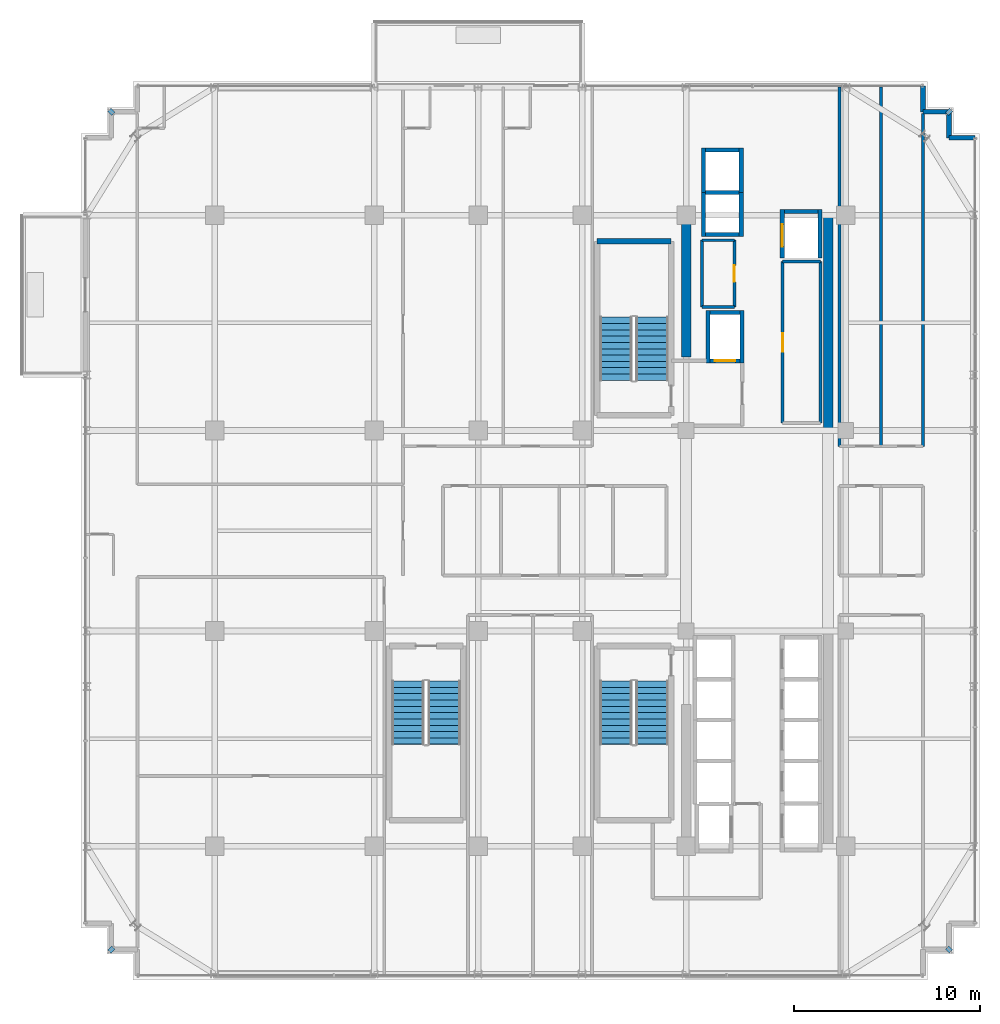
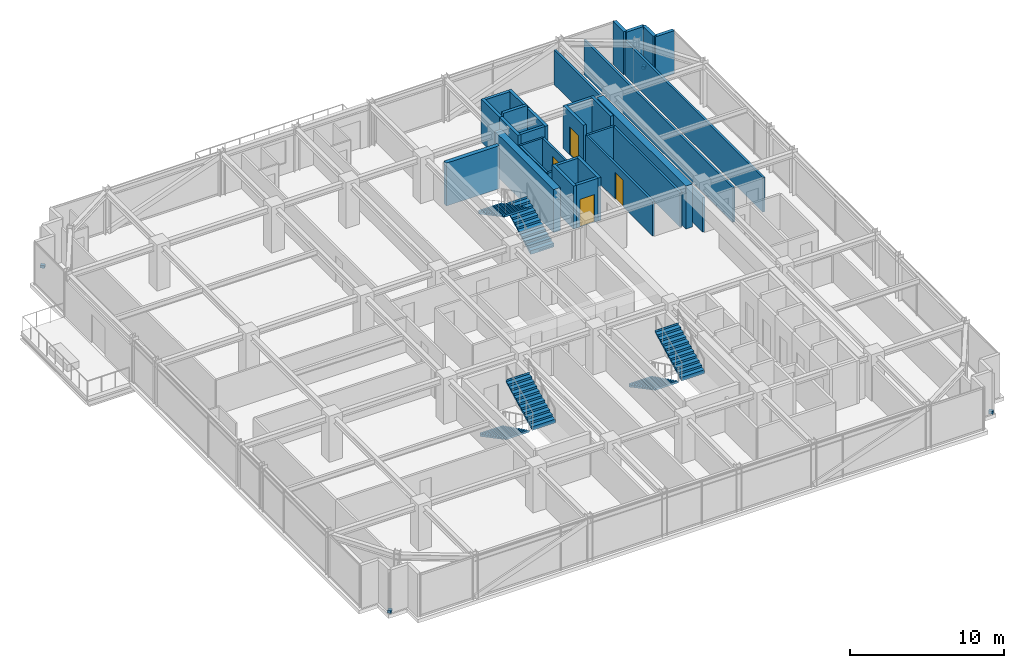
# One storey, part 37 of 41: 31 walls, 6 stair flights, 4 discrete accessories, 4 doors, 4 openings, 3 elements without a shape of their own.
"""IFC4 building model written with IfcOpenShell, lengths in metres."""

from ifc_helpers import new_model, si_unit, direction, frame, frame_2d, origin, origin_2d, place, context, subcontext, project, spatial, polyline, rectangle, outline, extrude, source, transform, mapped, material, layer, layer_set, type_object, element, fill, aggregate, save


model = new_model("IFC4")

# Units and contexts
model_context = context("Model", 3, precision=1e-05, world=origin(), true_north=direction((0.0, 1.0)))
body_context = subcontext(model_context, "Body", "Model", "MODEL_VIEW")
ifc_project = project(units=[si_unit("LENGTHUNIT", "METRE"), si_unit("AREAUNIT", "SQUARE_METRE"), si_unit("VOLUMEUNIT", "CUBIC_METRE"), si_unit("PLANEANGLEUNIT", "RADIAN"), si_unit("MASSUNIT", "GRAM", prefix="KILO")], contexts=[model_context])

# Site, building, storey
site_placement = place(None, origin())
site = spatial("IfcSite", under=ifc_project, at=site_placement, CompositionType="ELEMENT")
building_placement = place(site_placement, origin())
building = spatial("IfcBuilding", under=site, at=building_placement, Name="Nahalor Promenade Grand Hotel", CompositionType="ELEMENT")
storey_placement = place(building_placement, frame((0.0, 0.0, 227.10009765625)))
storey = spatial("IfcBuildingStorey", under=building, at=storey_placement, Name="L58", CompositionType="ELEMENT", Elevation=227.10009765625)

# Walls
ifc_material_1 = material(Name="Concrete B-60 (C50/60)", Category="concrete")
ifc_layer_1 = layer(ifc_material_1, 0.5)
ifc_layer_set_1 = layer_set([ifc_layer_1], Name="Concrete B-60 (C50/60)")
wall_type_1 = type_object("IfcWallType", Name="Wall-CoreShear-500", PredefinedType="SHEAR", material=ifc_layer_set_1)
shared_shape_1 = source(origin(), body_context, "Body", "SweptSolid", [
    extrude(rectangle(XDim=7.64990234375, YDim=0.5, at=frame_2d((3.824951171875, 0.0))), origin(), (0.0, 0.0, 1.0), 3.409912109375),
])
wall_1_placement = place(storey_placement, frame((8.39990234375, 9.35009765625, 0.0), z_axis=(0.0, 0.0, 1.0), x_axis=(0.0, 1.0, 0.0)))
element("IfcWall", 1, at=wall_1_placement, inside=storey, type_object=wall_type_1, Name="CWALL-L58-NW", PredefinedType="SHEAR", context=body_context, shape_type="MappedRepresentation", body=[
    mapped(shared_shape_1, transform((0.0, 0.0, 0.0), scale=1.0)),
])
shared_shape_2 = source(origin(), body_context, "Body", "SweptSolid", [
    extrude(rectangle(XDim=11.60009765625, YDim=0.5, at=frame_2d((5.800048828125, 0.0))), origin(), (0.0, 0.0, 1.0), 3.409912109375),
])
wall_2_placement = place(storey_placement, frame((16.050048828125, 5.39990234375, 0.0), z_axis=(0.0, 0.0, 1.0), x_axis=(0.0, 1.0, 0.0)))
element("IfcWall", 2, at=wall_2_placement, inside=storey, type_object=wall_type_1, Name="CWALL-L58-NE", PredefinedType="SHEAR", context=body_context, shape_type="MappedRepresentation", body=[
    mapped(shared_shape_2, transform((0.0, 0.0, 0.0), scale=1.0)),
])
ifc_material_2 = material(Name="Concrete B-50 (C40/50)", Category="concrete")
ifc_layer_2 = layer(ifc_material_2, 0.300048828125)
ifc_layer_set_2 = layer_set([ifc_layer_2], Name="Concrete B-50 (C40/50)")
wall_type_2 = type_object("IfcWallType", Name="Wall-ShaftShear-300", PredefinedType="SHEAR", material=ifc_layer_set_2)
shared_shape_3 = source(origin(), body_context, "Body", "SweptSolid", [
    extrude(rectangle(XDim=3.97998046875, YDim=0.300048828125, at=frame_2d((1.989990234375, 0.0))), origin(), (0.0, 0.0, 1.0), 3.409912109375),
])
wall_3_placement = place(storey_placement, frame((3.610107421875, 15.590087890625, 0.0), z_axis=(0.0, 0.0, 1.0), x_axis=(1.0, 0.0, 0.0)))
element("IfcWall", 3, at=wall_3_placement, inside=storey, type_object=wall_type_2, Name="L58 Exit Stair ST1 Shaft Wall N", PredefinedType="SHEAR", context=body_context, shape_type="MappedRepresentation", body=[
    mapped(shared_shape_3, transform((0.0, 0.0, 0.0), scale=1.0)),
])
ifc_layer_3 = layer(ifc_material_2, 0.219970703125)
ifc_layer_set_3 = layer_set([ifc_layer_3], Name="Concrete B-50 (C40/50)")
wall_type_3 = type_object("IfcWallType", Name="Wall-LiftShaft-220", PredefinedType="SHEAR", material=ifc_layer_set_3)
shared_shape_4 = source(origin(), body_context, "Body", "SweptSolid", [
    extrude(rectangle(XDim=1.820068359375, YDim=0.219970703125, at=frame_2d((0.91015625, 0.0))), origin(), (0.0, 0.0, 1.0), 3.409912109375),
])
for number, where, z_axis, x_axis, name in (
    (4, (9.43994140625, 15.949951171875, 0.0), (0.0, 0.0, 1.0), (1.0, 0.0, 0.0), "L58 Lift OB1 Hoistway Wall S"),
    (5, (9.43994140625, 20.5, 0.0), (0.0, 0.0, 1.0), (1.0, 0.0, 0.0), "L58 Lift OB2 Hoistway Wall N"),
    (6, (13.68994140625, 17.199951171875, 0.0), (0.0, 0.0, 1.0), (1.0, 0.0, 0.0), "L58 Lift SV1 Hoistway Wall N"),
):
    element("IfcWall", number, at=place(storey_placement, frame(where, z_axis=z_axis, x_axis=x_axis)), inside=storey, type_object=wall_type_3, Name=name, PredefinedType="SHEAR", context=body_context, shape_type="MappedRepresentation", body=[
        mapped(shared_shape_4, transform((0.0, 0.0, 0.0), scale=1.0)),
    ])
shared_shape_5 = source(origin(), body_context, "Body", "SweptSolid", [
    extrude(rectangle(XDim=1.820068359375, YDim=0.219970703125, at=frame_2d((0.91015625, 0.0))), origin(), (0.0, 0.0, 1.0), 3.699951171875),
])
wall_4_placement = place(storey_placement, frame((9.43994140625, 18.22509765625, 0.0), z_axis=(0.0, 0.0, 1.0), x_axis=(1.0, 0.0, 0.0)))
element("IfcWall", 7, at=wall_4_placement, inside=storey, type_object=wall_type_3, Name="L58 Lift OB1 Hoistway Wall N", PredefinedType="SHEAR", context=body_context, shape_type="MappedRepresentation", body=[
    mapped(shared_shape_5, transform((0.0, 0.0, 0.0), scale=1.0)),
])
shared_shape_6 = source(origin(), body_context, "Body", "SweptSolid", [
    extrude(rectangle(XDim=2.385009765625, YDim=0.219970703125, at=frame_2d((1.1923828125, 0.0))), origin(), (0.0, 0.0, 1.0), 3.409912109375),
])
for number, where, z_axis, x_axis, name in (
    (8, (9.330078125, 15.840087890625, 0.0), (0.0, 0.0, 1.0), (0.0, 1.0, 0.0), "L58 Lift OB1 Hoistway Wall W"),
    (9, (11.3701171875, 15.840087890625, 0.0), (0.0, 0.0, 1.0), (0.0, 1.0, 0.0), "L58 Lift OB1 Hoistway Wall E"),
    (10, (9.330078125, 18.22509765625, 0.0), (0.0, 0.0, 1.0), (0.0, 1.0, 0.0), "L58 Lift OB2 Hoistway Wall W"),
    (11, (11.3701171875, 18.22509765625, 0.0), (0.0, 0.0, 1.0), (0.0, 1.0, 0.0), "L58 Lift OB2 Hoistway Wall E"),
):
    element("IfcWall", number, at=place(storey_placement, frame(where, z_axis=z_axis, x_axis=x_axis)), inside=storey, type_object=wall_type_3, Name=name, PredefinedType="SHEAR", context=body_context, shape_type="MappedRepresentation", body=[
        mapped(shared_shape_6, transform((0.0, 0.0, 0.0), scale=1.0)),
    ])
shared_shape_7 = source(origin(), body_context, "Body", "SweptSolid", [
    extrude(rectangle(XDim=2.820068359375, YDim=0.219970703125, at=frame_2d((1.41015625, 0.0))), origin(), (0.0, 0.0, 1.0), 3.409912109375),
])
for number, where, z_axis, x_axis, name in (
    (12, (9.580078125, 9.0400390625, 0.0), (0.0, 0.0, 1.0), (0.0, 1.0, 0.0), "L58 Lift FL1 Hoistway Wall W"),
    (13, (11.419921875, 9.0400390625, 0.0), (0.0, 0.0, 1.0), (0.0, 1.0, 0.0), "L58 Lift FL1 Hoistway Wall E"),
):
    element("IfcWall", number, at=place(storey_placement, frame(where, z_axis=z_axis, x_axis=x_axis)), inside=storey, type_object=wall_type_3, Name=name, PredefinedType="SHEAR", context=body_context, shape_type="MappedRepresentation", body=[
        mapped(shared_shape_7, transform((0.0, 0.0, 0.0), scale=1.0)),
    ])

# Wall, opening, door
shared_shape_8 = source(origin(), body_context, "Body", "SweptSolid", [
    extrude(rectangle(XDim=1.6201171875, YDim=0.219970703125, at=frame_2d((0.81005859375, 0.0))), origin(), (0.0, 0.0, 1.0), 3.409912109375),
])
wall_5_placement = place(storey_placement, frame((9.68994140625, 9.14990234375, 0.0), z_axis=(0.0, 0.0, 1.0), x_axis=(1.0, 0.0, 0.0)))
wall_5 = element("IfcWall", 14, at=wall_5_placement, inside=storey, type_object=wall_type_3, Name="L58 Lift FL1 Hoistway Wall S", PredefinedType="SHEAR", context=body_context, shape_type="MappedRepresentation", body=[
    mapped(shared_shape_8, transform((0.0, 0.0, 0.0), scale=1.0)),
])
opening_1_placement = place(wall_5_placement, frame((0.260009765625, 0.0, 0.0)))
opening_1 = element("IfcOpeningElement", 15, at=opening_1_placement, cuts=wall_5, Name="Opening LD-02", PredefinedType="OPENING", context=body_context, shape_type="SweptSolid", body=[
    extrude(rectangle(XDim=1.10009765625, YDim=2.199951171875, at=frame_2d((0.550048828125, 1.10009765625))), frame((0.0, 0.119873046875, 0.0), z_axis=(0.0, -1.0, 0.0), x_axis=(1.0, 0.0, 0.0)), (0.0, 0.0, 1.0), 0.239990234375),
])
ifc_material_3 = material(Name="Steel S355JR", Category="steel")
door_type_1 = type_object("IfcDoorType", Name="Door-LiftFF-1100", OperationType="DOUBLE_DOOR_SLIDING", PredefinedType="DOOR", material=ifc_material_3)
shared_shape_9 = source(origin(), body_context, "Body", "SweptSolid", [
    extrude(rectangle(XDim=1.10009765625, YDim=2.199951171875, at=frame_2d((0.550048828125, 1.10009765625))), frame((0.0, 0.02490234375, 0.0), z_axis=(0.0, -1.0, 0.0), x_axis=(1.0, 0.0, 0.0)), (0.0, 0.0, 1.0), 0.050048828125),
])
door_1_placement = place(opening_1_placement, frame((1.10009765625, 0.0, 0.0), z_axis=(0.0, 0.0, 1.0), x_axis=(-1.0, 0.0, 0.0)))
door_1 = element("IfcDoor", 16, at=door_1_placement, inside=storey, type_object=door_type_1, Name="DR-LIFT-FL1-L58", OperationType="DOUBLE_DOOR_SLIDING", OverallHeight=2.199951171875, OverallWidth=1.10009765625, PredefinedType="DOOR", context=body_context, shape_type="MappedRepresentation", body=[
    mapped(shared_shape_9, transform((0.0, 0.0, 0.0), scale=1.0)),
])
fill(opening_1, door_1)

# Wall
wall_6_placement = place(storey_placement, frame((9.68994140625, 11.75, 0.0), z_axis=(0.0, 0.0, 1.0), x_axis=(1.0, 0.0, 0.0)))
element("IfcWall", 17, at=wall_6_placement, inside=storey, type_object=wall_type_3, Name="L58 Lift FL1 Hoistway Wall N", PredefinedType="SHEAR", context=body_context, shape_type="MappedRepresentation", body=[
    mapped(shared_shape_8, transform((0.0, 0.0, 0.0), scale=1.0)),
])

# Wall, opening, door
shared_shape_10 = source(origin(), body_context, "Body", "SweptSolid", [
    extrude(rectangle(XDim=2.610107421875, YDim=0.219970703125, at=frame_2d((1.30517578125, 0.0))), origin(), (0.0, 0.0, 1.0), 3.409912109375),
])
wall_7_placement = place(storey_placement, frame((13.580078125, 14.699951171875, 0.0), z_axis=(0.0, 0.0, 1.0), x_axis=(0.0, 1.0, 0.0)))
wall_7 = element("IfcWall", 18, at=wall_7_placement, inside=storey, type_object=wall_type_3, Name="L58 Lift SV1 Hoistway Wall W", PredefinedType="SHEAR", context=body_context, shape_type="MappedRepresentation", body=[
    mapped(shared_shape_10, transform((0.0, 0.0, 0.0), scale=1.0)),
])
opening_2_placement = place(wall_7_placement, frame((0.60009765625, 0.0, 0.0)))
opening_2 = element("IfcOpeningElement", 19, at=opening_2_placement, cuts=wall_7, Name="Opening LD-03", PredefinedType="OPENING", context=body_context, shape_type="SweptSolid", body=[
    extrude(rectangle(XDim=1.199951171875, YDim=2.199951171875, at=frame_2d((0.60009765625, 1.10009765625))), frame((0.0, 0.119873046875, 0.0), z_axis=(0.0, -1.0, 0.0), x_axis=(1.0, 0.0, 0.0)), (0.0, 0.0, 1.0), 0.239990234375),
])
door_type_2 = type_object("IfcDoorType", Name="Door-LiftService-1200", OperationType="DOUBLE_DOOR_SLIDING", PredefinedType="DOOR", material=ifc_material_3)
shared_shape_11 = source(origin(), body_context, "Body", "SweptSolid", [
    extrude(rectangle(XDim=1.199951171875, YDim=2.199951171875, at=frame_2d((0.60009765625, 1.10009765625))), frame((0.0, 0.02490234375, 0.0), z_axis=(0.0, -1.0, 0.0), x_axis=(1.0, 0.0, 0.0)), (0.0, 0.0, 1.0), 0.050048828125),
])
door_2_placement = place(opening_2_placement, origin())
door_2 = element("IfcDoor", 20, at=door_2_placement, inside=storey, type_object=door_type_2, Name="DR-LIFT-SV1-L58", OperationType="DOUBLE_DOOR_SLIDING", OverallHeight=2.199951171875, OverallWidth=1.199951171875, PredefinedType="DOOR", context=body_context, shape_type="MappedRepresentation", body=[
    mapped(shared_shape_11, transform((0.0, 0.0, 0.0), scale=1.0)),
])
fill(opening_2, door_2)

# Walls
wall_8_placement = place(storey_placement, frame((15.6201171875, 14.699951171875, 0.0), z_axis=(0.0, 0.0, 1.0), x_axis=(0.0, 1.0, 0.0)))
element("IfcWall", 21, at=wall_8_placement, inside=storey, type_object=wall_type_3, Name="L58 Lift SV1 Hoistway Wall E", PredefinedType="SHEAR", context=body_context, shape_type="MappedRepresentation", body=[
    mapped(shared_shape_10, transform((0.0, 0.0, 0.0), scale=1.0)),
])
ifc_material_4 = material(Name="Concrete B-40 (C32/40)", Category="concrete")
ifc_layer_4 = layer(ifc_material_4, 0.25)
ifc_layer_set_4 = layer_set([ifc_layer_4], Name="Concrete B-40 (C32/40)")
wall_type_4 = type_object("IfcWallType", Name="Wall-BronzePier-250", PredefinedType="STANDARD", material=ifc_layer_set_4)
shared_shape_12 = source(origin(), body_context, "Body", "SweptSolid", [
    extrude(rectangle(XDim=1.39990234375, YDim=0.25, at=frame_2d((0.699951171875, 0.0))), origin(), (0.0, 0.0, 1.0), 3.409912109375),
])
for number, where, z_axis, x_axis, name in (
    (22, (22.56005859375, 21.159912109375, 0.0), (0.0, 0.0, 1.0), (1.0, 0.0, 0.0), "W-L58-SR-05"),
    (23, (21.159912109375, 22.56005859375, 0.0), (0.0, 0.0, 1.0), (0.0, 1.0, 0.0), "W-L58-SR-08"),
):
    element("IfcWall", number, at=place(storey_placement, frame(where, z_axis=z_axis, x_axis=x_axis)), inside=storey, type_object=wall_type_4, Name=name, PredefinedType="STANDARD", context=body_context, shape_type="MappedRepresentation", body=[
        mapped(shared_shape_12, transform((0.0, 0.0, 0.0), scale=1.0)),
    ])
shared_shape_13 = source(origin(), body_context, "Body", "SweptSolid", [
    extrude(rectangle(XDim=1.400146484375, YDim=0.25, at=frame_2d((0.7001953125, 0.0))), origin(), (0.0, 0.0, 1.0), 3.409912109375),
])
for number, where, z_axis, x_axis, name in (
    (24, (22.56005859375, 21.159912109375, 0.0), (0.0, 0.0, 1.0), (0.0, 1.0, 0.0), "W-L58-SR-06"),
    (25, (21.159912109375, 22.56005859375, 0.0), (0.0, 0.0, 1.0), (1.0, 0.0, 0.0), "W-L58-SR-07"),
):
    element("IfcWall", number, at=place(storey_placement, frame(where, z_axis=z_axis, x_axis=x_axis)), inside=storey, type_object=wall_type_4, Name=name, PredefinedType="STANDARD", context=body_context, shape_type="MappedRepresentation", body=[
        mapped(shared_shape_13, transform((0.0, 0.0, 0.0), scale=1.0)),
    ])
ifc_material_5 = material(Name="Acoustic Mineral Gypsum", Category="gypsum")
ifc_layer_5 = layer(ifc_material_5, 0.14990234375)
ifc_layer_set_5 = layer_set([ifc_layer_5], Name="Acoustic Mineral Gypsum")
wall_type_5 = type_object("IfcWallType", Name="Wall-PartService-150", PredefinedType="PARTITIONING", material=ifc_layer_set_5)
shared_shape_14 = source(origin(), body_context, "Body", "SweptSolid", [
    extrude(rectangle(XDim=1.75, YDim=0.14990234375, at=frame_2d((0.875, 0.0))), origin(), (0.0, 0.0, 1.0), 2.75),
])
for number, where, z_axis, x_axis, name in (
    (26, (9.25, 12.050048828125, 0.0), (0.0, 0.0, 1.0), (1.0, 0.0, 0.0), "W-L58-CK1A-S"),
    (27, (9.25, 15.64990234375, 0.0), (0.0, 0.0, 1.0), (1.0, 0.0, 0.0), "W-L58-CK1A-N"),
):
    element("IfcWall", number, at=place(storey_placement, frame(where, z_axis=z_axis, x_axis=x_axis)), inside=storey, type_object=wall_type_5, Name=name, PredefinedType="PARTITIONING", context=body_context, shape_type="MappedRepresentation", body=[
        mapped(shared_shape_14, transform((0.0, 0.0, 0.0), scale=1.0)),
    ])
shared_shape_15 = source(origin(), body_context, "Body", "SweptSolid", [
    extrude(rectangle(XDim=3.599853515625, YDim=0.14990234375, at=frame_2d((1.7998046875, 0.0))), origin(), (0.0, 0.0, 1.0), 2.75),
])
wall_9_placement = place(storey_placement, frame((9.25, 12.050048828125, 0.0), z_axis=(0.0, 0.0, 1.0), x_axis=(0.0, 1.0, 0.0)))
element("IfcWall", 28, at=wall_9_placement, inside=storey, type_object=wall_type_5, Name="W-L58-CK1A-W", PredefinedType="PARTITIONING", context=body_context, shape_type="MappedRepresentation", body=[
    mapped(shared_shape_15, transform((0.0, 0.0, 0.0), scale=1.0)),
])

# Wall, opening, door
wall_10_placement = place(storey_placement, frame((11.0, 12.050048828125, 0.0), z_axis=(0.0, 0.0, 1.0), x_axis=(0.0, 1.0, 0.0)))
wall_10 = element("IfcWall", 29, at=wall_10_placement, inside=storey, type_object=wall_type_5, Name="W-L58-CK1A-E", PredefinedType="PARTITIONING", context=body_context, shape_type="MappedRepresentation", body=[
    mapped(shared_shape_15, transform((0.0, 0.0, 0.0), scale=1.0)),
])
opening_3_placement = place(wall_10_placement, frame((1.360107421875, 0.0, 0.0)))
opening_3 = element("IfcOpeningElement", 30, at=opening_3_placement, cuts=wall_10, Name="Opening D-03", PredefinedType="OPENING", context=body_context, shape_type="SweptSolid", body=[
    extrude(rectangle(XDim=0.8798828125, YDim=2.10009765625, at=frame_2d((0.43994140625, 1.050048828125))), frame((0.0, 0.0849609375, 0.0), z_axis=(0.0, -1.0, 0.0), x_axis=(1.0, 0.0, 0.0)), (0.0, 0.0, 1.0), 0.169921875),
])
ifc_material_6 = material(Name="Fire-Rated Timber Composite", Category="wood")
door_type_3 = type_object("IfcDoorType", Name="Door-BathSwing-880", OperationType="NOTDEFINED", PredefinedType="DOOR", material=ifc_material_6)
shared_shape_16 = source(origin(), body_context, "Body", "SweptSolid", [
    extrude(rectangle(XDim=0.8798828125, YDim=2.10009765625, at=frame_2d((0.43994140625, 1.050048828125))), frame((0.0, 0.02490234375, 0.0), z_axis=(0.0, -1.0, 0.0), x_axis=(1.0, 0.0, 0.0)), (0.0, 0.0, 1.0), 0.050048828125),
])
door_3_placement = place(opening_3_placement, origin())
door_3 = element("IfcDoor", 31, at=door_3_placement, inside=storey, type_object=door_type_3, Name="DR-L58-CK1A", OperationType="SINGLE_SWING_RIGHT", OverallHeight=2.10009765625, OverallWidth=0.8798828125, PredefinedType="DOOR", context=body_context, shape_type="MappedRepresentation", body=[
    mapped(shared_shape_16, transform((0.0, 0.0, 0.0), scale=1.0)),
])
fill(opening_3, door_3)

# Wall
ifc_layer_6 = layer(ifc_material_5, 0.159912109375)
ifc_layer_set_6 = layer_set([ifc_layer_6], Name="Acoustic Mineral Gypsum")
wall_type_6 = type_object("IfcWallType", Name="Wall-PartCorridor-160", PredefinedType="PARTITIONING", material=ifc_layer_set_6)
shared_shape_17 = source(origin(), body_context, "Body", "SweptSolid", [
    extrude(rectangle(XDim=2.0498046875, YDim=0.159912109375, at=frame_2d((1.02490234375, 0.0))), origin(), (0.0, 0.0, 1.0), 2.75),
])
wall_11_placement = place(storey_placement, frame((13.60009765625, 14.5, 0.0), z_axis=(0.0, 0.0, 1.0), x_axis=(1.0, 0.0, 0.0)))
element("IfcWall", 32, at=wall_11_placement, inside=storey, type_object=wall_type_6, Name="W-L58-FRB1-N", PredefinedType="PARTITIONING", context=body_context, shape_type="MappedRepresentation", body=[
    mapped(shared_shape_17, transform((0.0, 0.0, 0.0), scale=1.0)),
])

# Wall, opening, door
shared_shape_18 = source(origin(), body_context, "Body", "SweptSolid", [
    extrude(rectangle(XDim=8.699951171875, YDim=0.159912109375, at=frame_2d((4.35009765625, 0.0))), origin(), (0.0, 0.0, 1.0), 2.75),
])
wall_12_placement = place(storey_placement, frame((13.60009765625, 5.800048828125, 0.0), z_axis=(0.0, 0.0, 1.0), x_axis=(0.0, 1.0, 0.0)))
wall_12 = element("IfcWall", 33, at=wall_12_placement, inside=storey, type_object=wall_type_6, Name="W-L58-FRB1-W", PredefinedType="PARTITIONING", context=body_context, shape_type="MappedRepresentation", body=[
    mapped(shared_shape_18, transform((0.0, 0.0, 0.0), scale=1.0)),
])
opening_4_placement = place(wall_12_placement, frame((3.85009765625, 0.0, 0.0)))
opening_4 = element("IfcOpeningElement", 34, at=opening_4_placement, cuts=wall_12, Name="Opening D-04", PredefinedType="OPENING", context=body_context, shape_type="SweptSolid", body=[
    extrude(rectangle(XDim=1.0, YDim=2.10009765625, at=frame_2d((0.5, 1.050048828125))), frame((0.0, 0.08984375, 0.0), z_axis=(0.0, -1.0, 0.0), x_axis=(1.0, 0.0, 0.0)), (0.0, 0.0, 1.0), 0.179931640625),
])
door_type_4 = type_object("IfcDoorType", Name="Door-ServiceFire-1000", OperationType="NOTDEFINED", PredefinedType="DOOR", material=ifc_material_3)
shared_shape_19 = source(origin(), body_context, "Body", "SweptSolid", [
    extrude(rectangle(XDim=1.0, YDim=2.10009765625, at=frame_2d((0.5, 1.050048828125))), frame((0.0, 0.02490234375, 0.0), z_axis=(0.0, -1.0, 0.0), x_axis=(1.0, 0.0, 0.0)), (0.0, 0.0, 1.0), 0.050048828125),
])
door_4_placement = place(opening_4_placement, frame((1.0, 0.0, 0.0), z_axis=(0.0, 0.0, 1.0), x_axis=(-1.0, 0.0, 0.0)))
door_4 = element("IfcDoor", 35, at=door_4_placement, inside=storey, type_object=door_type_4, Name="DR-L58-FRB1", OperationType="SINGLE_SWING_LEFT", OverallHeight=2.10009765625, OverallWidth=1.0, PredefinedType="DOOR", context=body_context, shape_type="MappedRepresentation", body=[
    mapped(shared_shape_19, transform((0.0, 0.0, 0.0), scale=1.0)),
])
fill(opening_4, door_4)

# Walls
wall_13_placement = place(storey_placement, frame((15.64990234375, 5.800048828125, 0.0), z_axis=(0.0, 0.0, 1.0), x_axis=(0.0, 1.0, 0.0)))
element("IfcWall", 36, at=wall_13_placement, inside=storey, type_object=wall_type_6, Name="W-L58-FRB1-E", PredefinedType="PARTITIONING", context=body_context, shape_type="MappedRepresentation", body=[
    mapped(shared_shape_18, transform((0.0, 0.0, 0.0), scale=1.0)),
])
shared_shape_20 = source(origin(), body_context, "Body", "SweptSolid", [
    extrude(rectangle(XDim=19.349853515625, YDim=0.159912109375, at=frame_2d((9.6748046875, 0.0))), origin(), (0.0, 0.0, 1.0), 2.75),
])
for number, where, z_axis, x_axis, name in (
    (37, (16.64990234375, 4.550048828125, 0.0), (0.0, 0.0, 1.0), (0.0, 1.0, 0.0), "W-L58-ENE1-W"),
    (38, (18.905029296875, 4.550048828125, 0.0), (0.0, 0.0, 1.0), (0.0, 1.0, 0.0), "W-L58-ENE1-E"),
):
    element("IfcWall", number, at=place(storey_placement, frame(where, z_axis=z_axis, x_axis=x_axis)), inside=storey, type_object=wall_type_6, Name=name, PredefinedType="PARTITIONING", context=body_context, shape_type="MappedRepresentation", body=[
        mapped(shared_shape_20, transform((0.0, 0.0, 0.0), scale=1.0)),
    ])
shared_shape_21 = source(origin(), body_context, "Body", "SweptSolid", [
    extrude(rectangle(XDim=17.929931640625, YDim=0.159912109375, at=frame_2d((8.96484375, 0.0))), origin(), (0.0, 0.0, 1.0), 2.75),
])
wall_14_placement = place(storey_placement, frame((21.159912109375, 4.550048828125, 0.0), z_axis=(0.0, 0.0, 1.0), x_axis=(0.0, 1.0, 0.0)))
element("IfcWall", 39, at=wall_14_placement, inside=storey, type_object=wall_type_6, Name="W-L58-ENE2-E", PredefinedType="PARTITIONING", context=body_context, shape_type="MappedRepresentation", body=[
    mapped(shared_shape_21, transform((0.0, 0.0, 0.0), scale=1.0)),
])

# Stair, stair flights
stair_type_1 = type_object("IfcStairType", Name="Stair-ST1", PredefinedType="HALF_TURN_STAIR", material=ifc_material_2)
stair_1_placement = place(storey_placement, origin())
stair_1 = element("IfcStair", 40, at=stair_1_placement, inside=storey, type_object=stair_type_1, Name="L58 ST1", PredefinedType="HALF_TURN_STAIR")
ifc_layer_7 = layer(ifc_material_2, 0.179931640625)
ifc_layer_set_7 = layer_set([ifc_layer_7], Name="Concrete B-50 (C40/50)")
stair_flight_type_1 = type_object("IfcStairFlightType", Name="Flight-ST1", PredefinedType="STRAIGHT", material=ifc_layer_set_7)
shared_shape_22 = source(origin(), body_context, "Body", "SweptSolid", [
    extrude(outline(polyline([(-0.00390625, -0.1201171875), (-0.00390625, 0.0), (0.0, 0.0), (0.0, 0.168212890625), (0.340087890625, 0.168212890625), (0.340087890625, 0.33642578125), (0.679931640625, 0.33642578125), (0.679931640625, 0.504638671875), (1.02001953125, 0.504638671875), (1.02001953125, 0.672607421875), (1.360107421875, 0.672607421875), (1.360107421875, 0.8408203125), (1.699951171875, 0.8408203125), (1.699951171875, 1.009033203125), (2.0400390625, 1.009033203125), (2.0400390625, 1.17724609375), (2.3798828125, 1.17724609375), (2.3798828125, 1.345458984375), (2.719970703125, 1.345458984375), (2.719970703125, 1.513671875), (3.06005859375, 1.513671875), (3.06005859375, 1.681884765625), (3.39990234375, 1.681884765625), (3.39990234375, 1.85009765625), (3.404052734375, 1.85009765625), (3.404052734375, 1.669921875), (0.02001953125, -0.1201171875), (-0.00390625, -0.1201171875)])), frame((0.0, 0.875, 0.0), z_axis=(0.0, -1.0, 0.0), x_axis=(1.0, 0.0, 0.0)), (0.0, 0.0, 1.0), 1.75),
])
stair_flight_1_placement = place(storey_placement, frame((6.574951171875, 8.10009765625, 0.0), z_axis=(0.0, 0.0, 1.0), x_axis=(0.0, 1.0, 0.0)))
stair_flight_1 = element("IfcStairFlight", 41, at=stair_flight_1_placement, type_object=stair_flight_type_1, Name="ST1 flight 1", NumberOfRisers=11, NumberOfTreads=10, PredefinedType="STRAIGHT", RiserHeight=0.168181818, TreadLength=0.34, context=body_context, shape_type="MappedRepresentation", body=[
    mapped(shared_shape_22, transform((0.0, 0.0, 0.0), scale=1.0)),
])
stair_flight_2_placement = place(storey_placement, frame((4.625, 11.5, 1.849853515625), z_axis=(0.0, 0.0, 1.0), x_axis=(0.0, -1.0, 0.0)))
stair_flight_2 = element("IfcStairFlight", 42, at=stair_flight_2_placement, type_object=stair_flight_type_1, Name="ST1 flight 2", NumberOfRisers=11, NumberOfTreads=10, PredefinedType="STRAIGHT", RiserHeight=0.168181818, TreadLength=0.34, context=body_context, shape_type="MappedRepresentation", body=[
    mapped(shared_shape_22, transform((0.0, 0.0, 0.0), scale=1.0)),
])
aggregate(stair_1, [stair_flight_1, stair_flight_2])

stair_type_2 = type_object("IfcStairType", Name="Stair-ST2", PredefinedType="HALF_TURN_STAIR", material=ifc_material_2)
stair_2_placement = place(storey_placement, origin())
stair_2 = element("IfcStair", 43, at=stair_2_placement, inside=storey, type_object=stair_type_2, Name="L58 ST2", PredefinedType="HALF_TURN_STAIR")
ifc_layer_8 = layer(ifc_material_2, 0.18994140625)
ifc_layer_set_8 = layer_set([ifc_layer_8], Name="Concrete B-50 (C40/50)")
stair_flight_type_2 = type_object("IfcStairFlightType", Name="Flight-ST2", PredefinedType="STRAIGHT", material=ifc_layer_set_8)
shared_shape_23 = source(origin(), body_context, "Body", "SweptSolid", [
    extrude(outline(polyline([(-0.00390625, -0.1201171875), (-0.00390625, 0.0), (0.0, 0.0), (0.0, 0.168212890625), (0.340087890625, 0.168212890625), (0.340087890625, 0.33642578125), (0.679931640625, 0.33642578125), (0.679931640625, 0.504638671875), (1.02001953125, 0.504638671875), (1.02001953125, 0.672607421875), (1.360107421875, 0.672607421875), (1.360107421875, 0.8408203125), (1.699951171875, 0.8408203125), (1.699951171875, 1.009033203125), (2.0400390625, 1.009033203125), (2.0400390625, 1.17724609375), (2.3798828125, 1.17724609375), (2.3798828125, 1.345458984375), (2.719970703125, 1.345458984375), (2.719970703125, 1.513671875), (3.06005859375, 1.513671875), (3.06005859375, 1.681884765625), (3.39990234375, 1.681884765625), (3.39990234375, 1.85009765625), (3.404052734375, 1.85009765625), (3.404052734375, 1.669921875), (0.02001953125, -0.1201171875), (-0.00390625, -0.1201171875)])), frame((0.0, 0.875, 0.0), z_axis=(0.0, -1.0, 0.0), x_axis=(1.0, 0.0, 0.0)), (0.0, 0.0, 1.0), 1.75),
])
stair_flight_3_placement = place(storey_placement, frame((4.625, -8.10009765625, 0.0), z_axis=(0.0, 0.0, 1.0), x_axis=(0.0, -1.0, 0.0)))
stair_flight_3 = element("IfcStairFlight", 44, at=stair_flight_3_placement, type_object=stair_flight_type_2, Name="ST2 flight 1", NumberOfRisers=11, NumberOfTreads=10, PredefinedType="STRAIGHT", RiserHeight=0.168181818, TreadLength=0.34, context=body_context, shape_type="MappedRepresentation", body=[
    mapped(shared_shape_23, transform((0.0, 0.0, 0.0), scale=1.0)),
])
stair_flight_4_placement = place(storey_placement, frame((6.574951171875, -11.5, 1.849853515625), z_axis=(0.0, 0.0, 1.0), x_axis=(0.0, 1.0, 0.0)))
stair_flight_4 = element("IfcStairFlight", 45, at=stair_flight_4_placement, type_object=stair_flight_type_2, Name="ST2 flight 2", NumberOfRisers=11, NumberOfTreads=10, PredefinedType="STRAIGHT", RiserHeight=0.168181818, TreadLength=0.34, context=body_context, shape_type="MappedRepresentation", body=[
    mapped(shared_shape_23, transform((0.0, 0.0, 0.0), scale=1.0)),
])
aggregate(stair_2, [stair_flight_3, stair_flight_4])

stair_type_3 = type_object("IfcStairType", Name="Stair-ST3", PredefinedType="HALF_TURN_STAIR", material=ifc_material_2)
stair_3_placement = place(storey_placement, origin())
stair_3 = element("IfcStair", 46, at=stair_3_placement, inside=storey, type_object=stair_type_3, Name="L58 ST3", PredefinedType="HALF_TURN_STAIR")
ifc_layer_9 = layer(ifc_material_2, 0.199951171875)
ifc_layer_set_9 = layer_set([ifc_layer_9], Name="Concrete B-50 (C40/50)")
stair_flight_type_3 = type_object("IfcStairFlightType", Name="Flight-ST3", PredefinedType="STRAIGHT", material=ifc_layer_set_9)
shared_shape_24 = source(origin(), body_context, "Body", "SweptSolid", [
    extrude(outline(polyline([(-0.00390625, -0.1201171875), (-0.00390625, 0.0), (0.0, 0.0), (0.0, 0.168212890625), (0.340087890625, 0.168212890625), (0.340087890625, 0.33642578125), (0.679931640625, 0.33642578125), (0.679931640625, 0.504638671875), (1.02001953125, 0.504638671875), (1.02001953125, 0.672607421875), (1.360107421875, 0.672607421875), (1.360107421875, 0.8408203125), (1.699951171875, 0.8408203125), (1.699951171875, 1.009033203125), (2.0400390625, 1.009033203125), (2.0400390625, 1.17724609375), (2.3798828125, 1.17724609375), (2.3798828125, 1.345458984375), (2.719970703125, 1.345458984375), (2.719970703125, 1.513671875), (3.06005859375, 1.513671875), (3.06005859375, 1.681884765625), (3.39990234375, 1.681884765625), (3.39990234375, 1.85009765625), (3.404052734375, 1.85009765625), (3.404052734375, 1.669921875), (0.02001953125, -0.1201171875), (-0.00390625, -0.1201171875)])), frame((0.0, 0.875, 0.0), z_axis=(0.0, -1.0, 0.0), x_axis=(1.0, 0.0, 0.0)), (0.0, 0.0, 1.0), 1.75),
])
stair_flight_5_placement = place(storey_placement, frame((-6.574951171875, -8.10009765625, 0.0), z_axis=(0.0, 0.0, 1.0), x_axis=(0.0, -1.0, 0.0)))
stair_flight_5 = element("IfcStairFlight", 47, at=stair_flight_5_placement, type_object=stair_flight_type_3, Name="ST3 flight 1", NumberOfRisers=11, NumberOfTreads=10, PredefinedType="STRAIGHT", RiserHeight=0.168181818, TreadLength=0.34, context=body_context, shape_type="MappedRepresentation", body=[
    mapped(shared_shape_24, transform((0.0, 0.0, 0.0), scale=1.0)),
])
stair_flight_6_placement = place(storey_placement, frame((-4.625, -11.5, 1.849853515625), z_axis=(0.0, 0.0, 1.0), x_axis=(0.0, 1.0, 0.0)))
stair_flight_6 = element("IfcStairFlight", 48, at=stair_flight_6_placement, type_object=stair_flight_type_3, Name="ST3 flight 2", NumberOfRisers=11, NumberOfTreads=10, PredefinedType="STRAIGHT", RiserHeight=0.168181818, TreadLength=0.34, context=body_context, shape_type="MappedRepresentation", body=[
    mapped(shared_shape_24, transform((0.0, 0.0, 0.0), scale=1.0)),
])
aggregate(stair_3, [stair_flight_5, stair_flight_6])

# Discrete accessories
discrete_accessory_type = type_object("IfcDiscreteAccessoryType", Name="Bracket-FacadeCleat-Bronze", PredefinedType="BRACKET", material=ifc_material_3)
shared_shape_25 = source(origin(), body_context, "Body", "SweptSolid", [
    extrude(rectangle(XDim=0.300048828125, YDim=0.239990234375, at=origin_2d()), origin(), (0.0, 0.0, 1.0), 0.219970703125),
])
for number, where, z_axis, x_axis, name in (
    (49, (-22.56005859375, -22.56005859375, 0.0), (0.0, 0.0, 1.0), (0.707106781187, 0.707106781187, 0.0), "BK-L58-SW"),
    (50, (22.56005859375, -22.56005859375, 0.0), (0.0, 0.0, 1.0), (-0.707106781187, 0.707106781187, 0.0), "BK-L58-SE"),
    (51, (22.56005859375, 22.56005859375, 0.0), (0.0, 0.0, 1.0), (0.707106781187, 0.707106781187, 0.0), "BK-L58-NE"),
    (52, (-22.56005859375, 22.56005859375, 0.0), (0.0, 0.0, 1.0), (-0.707106781187, 0.707106781187, 0.0), "BK-L58-NW"),
):
    element("IfcDiscreteAccessory", number, at=place(storey_placement, frame(where, z_axis=z_axis, x_axis=x_axis)), inside=storey, type_object=discrete_accessory_type, Name=name, PredefinedType="BRACKET", context=body_context, shape_type="MappedRepresentation", body=[
        mapped(shared_shape_25, transform((0.0, 0.0, 0.0), scale=1.0)),
    ])

save(model, "model.ifc")
